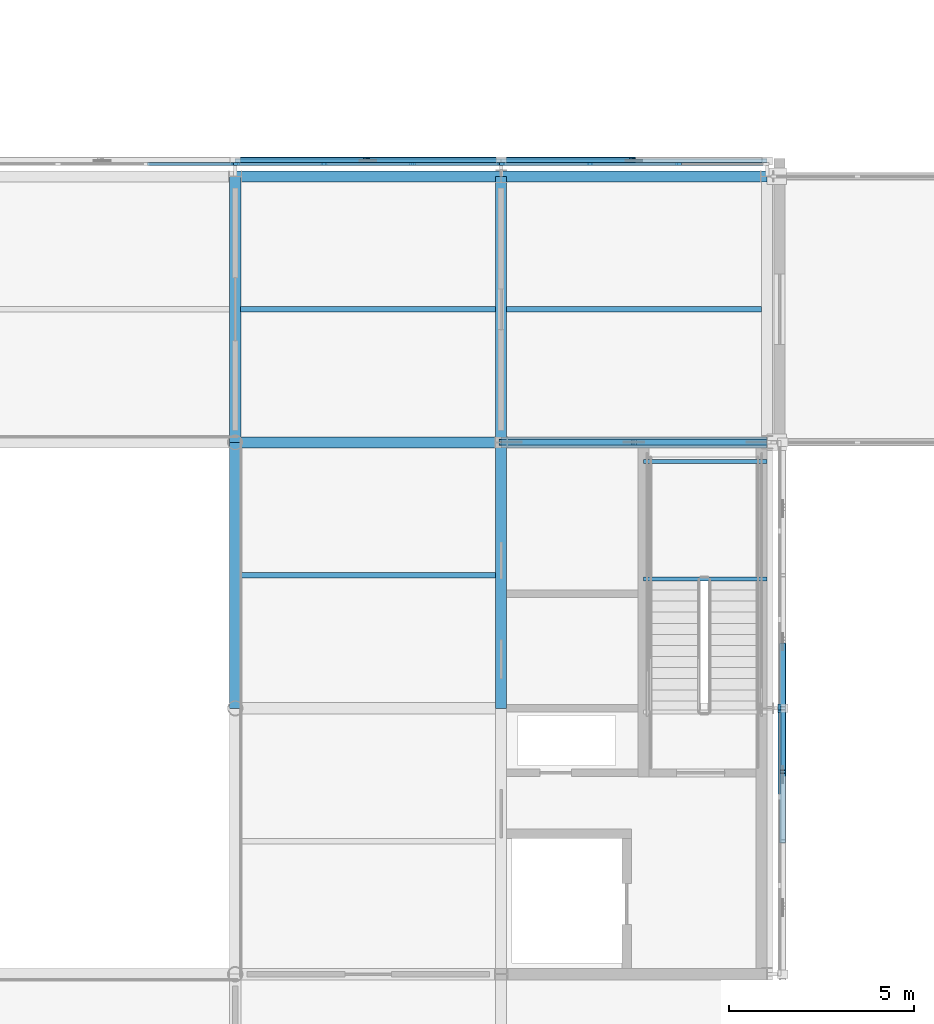
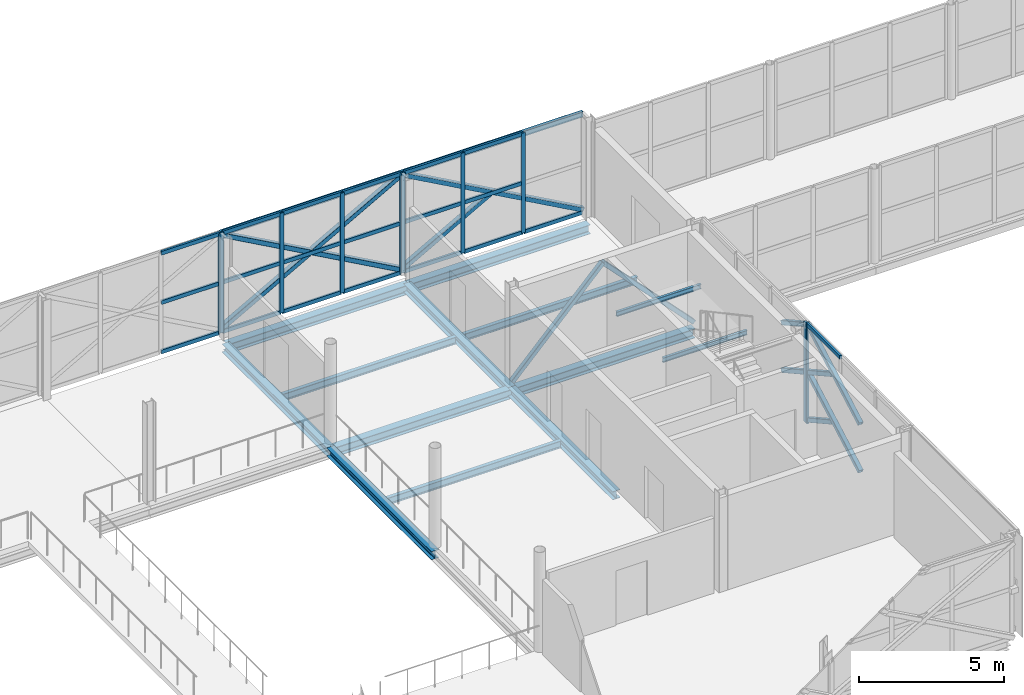
# One storey, part 36 of 126: 45 members, 13 beams, 5 elements without a shape of their own.
"""IFC4 building model written with IfcOpenShell, lengths in metres."""

from ifc_helpers import new_model, si_unit, direction, frame, origin, origin_2d, place, context, subcontext, project, spatial, rectangle, hollow_rectangle, i_section, extrude, material, material_profile, profile_set, type_object, element, aggregate, save


model = new_model("IFC4")

# Units and contexts
model_context = context("Model", 3, precision=1e-05, world=origin(), true_north=direction((0.0, 1.0)))
body_context = subcontext(model_context, "Body", "Model", "MODEL_VIEW")
ifc_project = project(units=[si_unit("LENGTHUNIT", "METRE"), si_unit("AREAUNIT", "SQUARE_METRE"), si_unit("VOLUMEUNIT", "CUBIC_METRE"), si_unit("PLANEANGLEUNIT", "RADIAN"), si_unit("MASSUNIT", "GRAM", prefix="KILO")], contexts=[model_context])

# Site, building, storey
site_placement = place(None, origin())
site = spatial("IfcSite", under=ifc_project, at=site_placement, CompositionType="ELEMENT")
building_placement = place(site_placement, origin())
building = spatial("IfcBuilding", under=site, at=building_placement, Name="Zlatovets Crest Museum", CompositionType="ELEMENT")
storey_placement = place(building_placement, frame((0.0, 0.0, 8.699951171875)))
storey = spatial("IfcBuildingStorey", under=building, at=storey_placement, Name="L02", CompositionType="ELEMENT", Elevation=8.699951171875)

# Beams
ifc_material_1 = material(Name="Structural steel S355J2", Category="steel")
ifc_material_profile_1 = material_profile(ifc_material_1, i_section(OverallWidth=0.300048828125, OverallDepth=0.389892578125, WebThickness=0.010986328125, FlangeThickness=0.01904296875, FilletRadius=0.027099609375, at=origin_2d()), Name="HEA 400")
ifc_profile_set_1 = profile_set([ifc_material_profile_1], Name="Structural steel S355J2")
beam_type_1 = type_object("IfcBeamType", Name="Beam_B-02", PredefinedType="BEAM", material=ifc_profile_set_1)
for number, where, z_axis, x_axis, name in (
    (1, (93.60009765625, 21.60009765625, -0.4150390625), (1.0, 0.0, 0.0), (0.0, 1.0, 0.0), "V2 L02 Primary Girder B-02"),
    (2, (100.800048828125, 21.60009765625, -0.4150390625), (1.0, 0.0, 0.0), (0.0, 1.0, 0.0), "V2 L02 Primary Girder B-02"),
    (3, (93.60009765625, 28.800048828125, -0.4150390625), (1.0, 0.0, 0.0), (0.0, 1.0, 0.0), "V2 L02 Primary Girder B-02"),
    (4, (100.800048828125, 28.800048828125, -0.4150390625), (1.0, 0.0, 0.0), (0.0, 1.0, 0.0), "V2 L02 Primary Girder B-02"),
):
    element("IfcBeam", number, at=place(storey_placement, frame(where, z_axis=z_axis, x_axis=x_axis)), inside=storey, type_object=beam_type_1, Name=name, PredefinedType="BEAM", context=body_context, shape_type="SweptSolid", body=[
        extrude(i_section(OverallWidth=0.300048828125, OverallDepth=0.389892578125, WebThickness=0.010986328125, FlangeThickness=0.01904296875, FilletRadius=0.027099609375, at=origin_2d()), origin(), (0.0, 0.0, 1.0), 7.199951171875),
    ])
ifc_material_profile_2 = material_profile(ifc_material_1, i_section(OverallWidth=0.300048828125, OverallDepth=0.35009765625, WebThickness=0.010009765625, FlangeThickness=0.017578125, FilletRadius=0.027099609375, at=origin_2d()), Name="HEA 360")
ifc_profile_set_2 = profile_set([ifc_material_profile_2], Name="Structural steel S355J2")
beam_type_2 = type_object("IfcBeamType", Name="Beam_B-03", PredefinedType="BEAM", material=ifc_profile_set_2)
beam_1_placement = place(storey_placement, frame((93.60009765625, 14.39990234375, -0.39501953125), z_axis=(0.0, 1.0, 0.0), x_axis=(-1.0, 0.0, 0.0)))
element("IfcBeam", 5, at=beam_1_placement, inside=storey, type_object=beam_type_2, Name="V2 L02 Grid Beam B-03", PredefinedType="BEAM", context=body_context, shape_type="SweptSolid", body=[
    extrude(i_section(OverallWidth=0.300048828125, OverallDepth=0.35009765625, WebThickness=0.010009765625, FlangeThickness=0.017578125, FilletRadius=0.027099609375, at=origin_2d()), origin(), (0.0, 0.0, 1.0), 7.2001953125),
])
beam_2_placement = place(storey_placement, frame((93.60009765625, 21.60009765625, -0.39501953125), z_axis=(0.0, 1.0, 0.0), x_axis=(-1.0, 0.0, 0.0)))
element("IfcBeam", 6, at=beam_2_placement, inside=storey, type_object=beam_type_2, Name="V2 L02 Grid Beam B-03", PredefinedType="BEAM", context=body_context, shape_type="SweptSolid", body=[
    extrude(i_section(OverallWidth=0.300048828125, OverallDepth=0.35009765625, WebThickness=0.010009765625, FlangeThickness=0.017578125, FilletRadius=0.027099609375, at=origin_2d()), origin(), (0.0, 0.0, 1.0), 7.199951171875),
])
beam_3_placement = place(storey_placement, frame((100.800048828125, 14.39990234375, -0.39501953125), z_axis=(0.0, 1.0, 0.0), x_axis=(-1.0, 0.0, 0.0)))
element("IfcBeam", 7, at=beam_3_placement, inside=storey, type_object=beam_type_2, Name="V2 L02 Grid Beam B-03", PredefinedType="BEAM", context=body_context, shape_type="SweptSolid", body=[
    extrude(i_section(OverallWidth=0.300048828125, OverallDepth=0.35009765625, WebThickness=0.010009765625, FlangeThickness=0.017578125, FilletRadius=0.027099609375, at=origin_2d()), origin(), (0.0, 0.0, 1.0), 7.2001953125),
])
beam_4_placement = place(storey_placement, frame((100.800048828125, 21.60009765625, -0.39501953125), z_axis=(0.0, 1.0, 0.0), x_axis=(-1.0, 0.0, 0.0)))
element("IfcBeam", 8, at=beam_4_placement, inside=storey, type_object=beam_type_2, Name="V2 L02 Grid Beam B-03", PredefinedType="BEAM", context=body_context, shape_type="SweptSolid", body=[
    extrude(i_section(OverallWidth=0.300048828125, OverallDepth=0.35009765625, WebThickness=0.010009765625, FlangeThickness=0.017578125, FilletRadius=0.027099609375, at=origin_2d()), origin(), (0.0, 0.0, 1.0), 7.199951171875),
])
ifc_material_profile_3 = material_profile(ifc_material_1, i_section(OverallWidth=0.14990234375, OverallDepth=0.300048828125, WebThickness=0.007080078125, FlangeThickness=0.0107421875, FilletRadius=0.014892578125, at=origin_2d()), Name="IPE 300")
ifc_profile_set_3 = profile_set([ifc_material_profile_3], Name="Structural steel S355J2")
beam_type_3 = type_object("IfcBeamType", Name="Beam_J-02", PredefinedType="JOIST", material=ifc_profile_set_3)
for number, where, z_axis, x_axis, name in (
    (9, (93.75, 18.0, -0.369873046875), (1.0, 0.0, 0.0), (0.0, 1.0, 0.0), "V2 L02 Composite Joist J-02"),
    (10, (93.75, 25.199951171875, -0.369873046875), (1.0, 0.0, 0.0), (0.0, 1.0, 0.0), "V2 L02 Composite Joist J-02"),
):
    element("IfcBeam", number, at=place(storey_placement, frame(where, z_axis=z_axis, x_axis=x_axis)), inside=storey, type_object=beam_type_3, Name=name, PredefinedType="JOIST", context=body_context, shape_type="SweptSolid", body=[
        extrude(i_section(OverallWidth=0.14990234375, OverallDepth=0.300048828125, WebThickness=0.007080078125, FlangeThickness=0.0107421875, FilletRadius=0.014892578125, at=origin_2d()), origin(), (0.0, 0.0, 1.0), 6.89990234375),
    ])
beam_5_placement = place(storey_placement, frame((100.949951171875, 25.199951171875, -0.369873046875), z_axis=(1.0, 0.0, 0.0), x_axis=(0.0, 1.0, 0.0)))
element("IfcBeam", 11, at=beam_5_placement, inside=storey, type_object=beam_type_3, Name="V2 L02 Composite Joist J-02", PredefinedType="JOIST", context=body_context, shape_type="SweptSolid", body=[
    extrude(i_section(OverallWidth=0.14990234375, OverallDepth=0.300048828125, WebThickness=0.007080078125, FlangeThickness=0.0107421875, FilletRadius=0.014892578125, at=origin_2d()), origin(), (0.0, 0.0, 1.0), 6.900146484375),
])
ifc_material_profile_4 = material_profile(ifc_material_1, i_section(OverallWidth=0.10009765625, OverallDepth=0.199951171875, WebThickness=0.005615234375, FlangeThickness=0.008544921875, FilletRadius=0.011962890625, at=origin_2d()), Name="IPE 200")
ifc_profile_set_4 = profile_set([ifc_material_profile_4], Name="Structural steel S355J2")
beam_type_4 = type_object("IfcBeamType", Name="Beam_PR-02", PredefinedType="LINTEL", material=ifc_profile_set_4)
for number, where, z_axis, x_axis, name in (
    (12, (104.64990234375, 17.89990234375, 1.800048828125), (1.0, 0.0, 0.0), (0.0, 1.0, 0.0), "Core C8 L02 Half-Landing Support Beam"),
    (13, (104.64990234375, 21.080078125, 1.800048828125), (1.0, 0.0, 0.0), (0.0, 1.0, 0.0), "Core C8 L02 Half-Landing Support Beam"),
):
    element("IfcBeam", number, at=place(storey_placement, frame(where, z_axis=z_axis, x_axis=x_axis)), inside=storey, type_object=beam_type_4, Name=name, PredefinedType="LINTEL", context=body_context, shape_type="SweptSolid", body=[
        extrude(i_section(OverallWidth=0.10009765625, OverallDepth=0.199951171875, WebThickness=0.005615234375, FlangeThickness=0.008544921875, FilletRadius=0.011962890625, at=origin_2d()), origin(), (0.0, 0.0, 1.0), 3.35009765625),
    ])

# Curtain wall, member
ifc_material_2 = material(Name="Bronze-anodised aluminium and low-E triple glass", Category="aluminium")
curtain_wall_type_1 = type_object("IfcCurtainWallType", Name="CW_CW-V2-L02-M0", PredefinedType="NOTDEFINED", material=ifc_material_2)
curtain_wall_1_placement = place(storey_placement, origin())
curtain_wall_1 = element("IfcCurtainWall", 14, at=curtain_wall_1_placement, inside=storey, type_object=curtain_wall_type_1, Name="V2 L02 Expressed Core Glazed Facade", PredefinedType="NOTDEFINED")
ifc_material_3 = material(Name="Bronze-anodised aluminium EN AW-6060", Category="aluminium")
ifc_material_profile_5 = material_profile(ifc_material_3, rectangle(XDim=0.080078125, YDim=0.159912109375, at=origin_2d()), Name="ALU 80x160")
ifc_profile_set_5 = profile_set([ifc_material_profile_5], Name="Bronze-anodised aluminium EN AW-6060")
member_type_1 = type_object("IfcMemberType", Name="CWMull_M1", PredefinedType="MULLION", material=ifc_profile_set_5)
member_1_placement = place(storey_placement, frame((108.340087890625, 14.3701171875, 0.0), z_axis=(0.0, 0.0, 1.0), x_axis=(-1.0, 0.0, 0.0)))
member_1 = element("IfcMember", 15, at=member_1_placement, type_object=member_type_1, Name="CW-V2-L02-M0 mullion 4", PredefinedType="MULLION", context=body_context, shape_type="SweptSolid", body=[
    extrude(rectangle(XDim=0.080078125, YDim=0.159912109375, at=origin_2d()), origin(), (0.0, 0.0, 1.0), 4.199951171875),
])

curtain_wall_type_2 = type_object("IfcCurtainWallType", Name="CW_CW-V2-L02-M1", PredefinedType="NOTDEFINED", material=ifc_material_2)
curtain_wall_2_placement = place(storey_placement, origin())
curtain_wall_2 = element("IfcCurtainWall", 16, at=curtain_wall_2_placement, inside=storey, type_object=curtain_wall_type_2, Name="V2 L02 Expressed Core Glazed Facade", PredefinedType="NOTDEFINED")
member_2_placement = place(storey_placement, frame((108.340087890625, 14.429931640625, 0.0), z_axis=(0.0, 0.0, 1.0), x_axis=(-1.0, 0.0, 0.0)))
member_2 = element("IfcMember", 17, at=member_2_placement, type_object=member_type_1, Name="CW-V2-L02-M1 mullion 1", PredefinedType="MULLION", context=body_context, shape_type="SweptSolid", body=[
    extrude(rectangle(XDim=0.080078125, YDim=0.159912109375, at=origin_2d()), origin(), (0.0, 0.0, 1.0), 4.199951171875),
])
aggregate(curtain_wall_2, [member_2])

# Curtain wall, members
curtain_wall_type_3 = type_object("IfcCurtainWallType", Name="CW_CW-V2-L02-M3", PredefinedType="NOTDEFINED", material=ifc_material_2)
curtain_wall_3_placement = place(storey_placement, origin())
curtain_wall_3 = element("IfcCurtainWall", 18, at=curtain_wall_3_placement, inside=storey, type_object=curtain_wall_type_3, Name="V2 L02 Secession Foyer Clear Curtain Wall", PredefinedType="NOTDEFINED")
member_3_placement = place(storey_placement, frame((105.60009765625, 29.139892578125, 0.0), z_axis=(0.0, 0.0, 1.0), x_axis=(0.0, -1.0, 0.0)))
member_3 = element("IfcMember", 19, at=member_3_placement, type_object=member_type_1, Name="CW-V2-L02-M3 mullion 2", PredefinedType="MULLION", context=body_context, shape_type="SweptSolid", body=[
    extrude(rectangle(XDim=0.080078125, YDim=0.159912109375, at=origin_2d()), origin(), (0.0, 0.0, 1.0), 4.199951171875),
])
member_4_placement = place(storey_placement, frame((103.199951171875, 29.139892578125, 0.0), z_axis=(0.0, 0.0, 1.0), x_axis=(0.0, -1.0, 0.0)))
member_4 = element("IfcMember", 20, at=member_4_placement, type_object=member_type_1, Name="CW-V2-L02-M3 mullion 3", PredefinedType="MULLION", context=body_context, shape_type="SweptSolid", body=[
    extrude(rectangle(XDim=0.080078125, YDim=0.159912109375, at=origin_2d()), origin(), (0.0, 0.0, 1.0), 4.199951171875),
])
member_5_placement = place(storey_placement, frame((100.830078125, 29.139892578125, 0.0), z_axis=(0.0, 0.0, 1.0), x_axis=(0.0, -1.0, 0.0)))
member_5 = element("IfcMember", 21, at=member_5_placement, type_object=member_type_1, Name="CW-V2-L02-M3 mullion 4", PredefinedType="MULLION", context=body_context, shape_type="SweptSolid", body=[
    extrude(rectangle(XDim=0.080078125, YDim=0.159912109375, at=origin_2d()), origin(), (0.0, 0.0, 1.0), 4.199951171875),
])

curtain_wall_4_placement = place(storey_placement, origin())
curtain_wall_4 = element("IfcCurtainWall", 22, at=curtain_wall_4_placement, inside=storey, type_object=curtain_wall_type_1, Name="V2 L02 Secession Foyer Clear Curtain Wall", PredefinedType="NOTDEFINED")
member_6_placement = place(storey_placement, frame((100.77001953125, 29.139892578125, 0.0), z_axis=(0.0, 0.0, 1.0), x_axis=(0.0, -1.0, 0.0)))
member_6 = element("IfcMember", 23, at=member_6_placement, type_object=member_type_1, Name="CW-V2-L02-M0 mullion 1", PredefinedType="MULLION", context=body_context, shape_type="SweptSolid", body=[
    extrude(rectangle(XDim=0.080078125, YDim=0.159912109375, at=origin_2d()), origin(), (0.0, 0.0, 1.0), 4.199951171875),
])
member_7_placement = place(storey_placement, frame((98.39990234375, 29.139892578125, 0.0), z_axis=(0.0, 0.0, 1.0), x_axis=(0.0, -1.0, 0.0)))
member_7 = element("IfcMember", 24, at=member_7_placement, type_object=member_type_1, Name="CW-V2-L02-M0 mullion 2", PredefinedType="MULLION", context=body_context, shape_type="SweptSolid", body=[
    extrude(rectangle(XDim=0.080078125, YDim=0.159912109375, at=origin_2d()), origin(), (0.0, 0.0, 1.0), 4.199951171875),
])
member_8_placement = place(storey_placement, frame((96.0, 29.139892578125, 0.0), z_axis=(0.0, 0.0, 1.0), x_axis=(0.0, -1.0, 0.0)))
member_8 = element("IfcMember", 25, at=member_8_placement, type_object=member_type_1, Name="CW-V2-L02-M0 mullion 3", PredefinedType="MULLION", context=body_context, shape_type="SweptSolid", body=[
    extrude(rectangle(XDim=0.080078125, YDim=0.159912109375, at=origin_2d()), origin(), (0.0, 0.0, 1.0), 4.199951171875),
])
member_9_placement = place(storey_placement, frame((93.6298828125, 29.139892578125, 0.0), z_axis=(0.0, 0.0, 1.0), x_axis=(0.0, -1.0, 0.0)))
member_9 = element("IfcMember", 26, at=member_9_placement, type_object=member_type_1, Name="CW-V2-L02-M0 mullion 4", PredefinedType="MULLION", context=body_context, shape_type="SweptSolid", body=[
    extrude(rectangle(XDim=0.080078125, YDim=0.159912109375, at=origin_2d()), origin(), (0.0, 0.0, 1.0), 4.199951171875),
])

# Curtain wall, member
curtain_wall_5_placement = place(storey_placement, origin())
curtain_wall_5 = element("IfcCurtainWall", 27, at=curtain_wall_5_placement, inside=storey, type_object=curtain_wall_type_2, Name="V2 L02 Secession Foyer Clear Curtain Wall", PredefinedType="NOTDEFINED")
member_10_placement = place(storey_placement, frame((93.570068359375, 29.139892578125, 0.0), z_axis=(0.0, 0.0, 1.0), x_axis=(0.0, -1.0, 0.0)))
member_10 = element("IfcMember", 28, at=member_10_placement, type_object=member_type_1, Name="CW-V2-L02-M1 mullion 1", PredefinedType="MULLION", context=body_context, shape_type="SweptSolid", body=[
    extrude(rectangle(XDim=0.080078125, YDim=0.159912109375, at=origin_2d()), origin(), (0.0, 0.0, 1.0), 4.199951171875),
])

# Member
ifc_material_profile_6 = material_profile(ifc_material_3, rectangle(XDim=0.080078125, YDim=0.159912109375, at=origin_2d()), Name="ALU 80x160")
ifc_profile_set_6 = profile_set([ifc_material_profile_6], Name="Bronze-anodised aluminium EN AW-6060")
member_type_2 = type_object("IfcMemberType", Name="CWTrans_T1", PredefinedType="USERDEFINED", material=ifc_profile_set_6)
member_11_placement = place(storey_placement, frame((108.340087890625, 12.030029296875, 4.170166015625), z_axis=(0.0, 1.0, 0.0), x_axis=(-1.0, 0.0, 0.0)))
member_11 = element("IfcMember", 29, at=member_11_placement, type_object=member_type_2, Name="CW-V2-L02-M0 transom 3.3", ObjectType="TRANSOM", PredefinedType="USERDEFINED", context=body_context, shape_type="SweptSolid", body=[
    extrude(rectangle(XDim=0.080078125, YDim=0.159912109375, at=origin_2d()), origin(), (0.0, 0.0, 1.0), 2.31005859375),
])

aggregate(curtain_wall_1, [member_1, member_11])

member_12_placement = place(storey_placement, frame((107.93994140625, 29.139892578125, 0.030029296875), z_axis=(-1.0, 0.0, 0.0), x_axis=(0.0, -1.0, 0.0)))
member_12 = element("IfcMember", 30, at=member_12_placement, type_object=member_type_2, Name="CW-V2-L02-M3 transom 1.1", ObjectType="TRANSOM", PredefinedType="USERDEFINED", context=body_context, shape_type="SweptSolid", body=[
    extrude(rectangle(XDim=0.080078125, YDim=0.159912109375, at=origin_2d()), origin(), (0.0, 0.0, 1.0), 2.31005859375),
])

member_13_placement = place(storey_placement, frame((105.570068359375, 29.139892578125, 0.030029296875), z_axis=(-1.0, 0.0, 0.0), x_axis=(0.0, -1.0, 0.0)))
member_13 = element("IfcMember", 31, at=member_13_placement, type_object=member_type_2, Name="CW-V2-L02-M3 transom 2.1", ObjectType="TRANSOM", PredefinedType="USERDEFINED", context=body_context, shape_type="SweptSolid", body=[
    extrude(rectangle(XDim=0.080078125, YDim=0.159912109375, at=origin_2d()), origin(), (0.0, 0.0, 1.0), 2.340087890625),
])

member_14_placement = place(storey_placement, frame((105.570068359375, 29.139892578125, 2.10009765625), z_axis=(-1.0, 0.0, 0.0), x_axis=(0.0, -1.0, 0.0)))
member_14 = element("IfcMember", 32, at=member_14_placement, type_object=member_type_2, Name="CW-V2-L02-M3 transom 2.2", ObjectType="TRANSOM", PredefinedType="USERDEFINED", context=body_context, shape_type="SweptSolid", body=[
    extrude(rectangle(XDim=0.080078125, YDim=0.159912109375, at=origin_2d()), origin(), (0.0, 0.0, 1.0), 2.340087890625),
])

member_15_placement = place(storey_placement, frame((105.570068359375, 29.139892578125, 4.170166015625), z_axis=(-1.0, 0.0, 0.0), x_axis=(0.0, -1.0, 0.0)))
member_15 = element("IfcMember", 33, at=member_15_placement, type_object=member_type_2, Name="CW-V2-L02-M3 transom 2.3", ObjectType="TRANSOM", PredefinedType="USERDEFINED", context=body_context, shape_type="SweptSolid", body=[
    extrude(rectangle(XDim=0.080078125, YDim=0.159912109375, at=origin_2d()), origin(), (0.0, 0.0, 1.0), 2.340087890625),
])

member_16_placement = place(storey_placement, frame((103.169921875, 29.139892578125, 0.030029296875), z_axis=(-1.0, 0.0, 0.0), x_axis=(0.0, -1.0, 0.0)))
member_16 = element("IfcMember", 34, at=member_16_placement, type_object=member_type_2, Name="CW-V2-L02-M3 transom 3.1", ObjectType="TRANSOM", PredefinedType="USERDEFINED", context=body_context, shape_type="SweptSolid", body=[
    extrude(rectangle(XDim=0.080078125, YDim=0.159912109375, at=origin_2d()), origin(), (0.0, 0.0, 1.0), 2.309814453125),
])

member_17_placement = place(storey_placement, frame((103.169921875, 29.139892578125, 2.10009765625), z_axis=(-1.0, 0.0, 0.0), x_axis=(0.0, -1.0, 0.0)))
member_17 = element("IfcMember", 35, at=member_17_placement, type_object=member_type_2, Name="CW-V2-L02-M3 transom 3.2", ObjectType="TRANSOM", PredefinedType="USERDEFINED", context=body_context, shape_type="SweptSolid", body=[
    extrude(rectangle(XDim=0.080078125, YDim=0.159912109375, at=origin_2d()), origin(), (0.0, 0.0, 1.0), 2.309814453125),
])

member_18_placement = place(storey_placement, frame((103.169921875, 29.139892578125, 4.170166015625), z_axis=(-1.0, 0.0, 0.0), x_axis=(0.0, -1.0, 0.0)))
member_18 = element("IfcMember", 36, at=member_18_placement, type_object=member_type_2, Name="CW-V2-L02-M3 transom 3.3", ObjectType="TRANSOM", PredefinedType="USERDEFINED", context=body_context, shape_type="SweptSolid", body=[
    extrude(rectangle(XDim=0.080078125, YDim=0.159912109375, at=origin_2d()), origin(), (0.0, 0.0, 1.0), 2.309814453125),
])

aggregate(curtain_wall_3, [member_3, member_4, member_5, member_12, member_13, member_14, member_15, member_16, member_17, member_18])

member_19_placement = place(storey_placement, frame((100.739990234375, 29.139892578125, 0.030029296875), z_axis=(-1.0, 0.0, 0.0), x_axis=(0.0, -1.0, 0.0)))
member_19 = element("IfcMember", 37, at=member_19_placement, type_object=member_type_2, Name="CW-V2-L02-M0 transom 1.1", ObjectType="TRANSOM", PredefinedType="USERDEFINED", context=body_context, shape_type="SweptSolid", body=[
    extrude(rectangle(XDim=0.080078125, YDim=0.159912109375, at=origin_2d()), origin(), (0.0, 0.0, 1.0), 2.31005859375),
])

member_20_placement = place(storey_placement, frame((100.739990234375, 29.139892578125, 2.10009765625), z_axis=(-1.0, 0.0, 0.0), x_axis=(0.0, -1.0, 0.0)))
member_20 = element("IfcMember", 38, at=member_20_placement, type_object=member_type_2, Name="CW-V2-L02-M0 transom 1.2", ObjectType="TRANSOM", PredefinedType="USERDEFINED", context=body_context, shape_type="SweptSolid", body=[
    extrude(rectangle(XDim=0.080078125, YDim=0.159912109375, at=origin_2d()), origin(), (0.0, 0.0, 1.0), 2.31005859375),
])

member_21_placement = place(storey_placement, frame((100.739990234375, 29.139892578125, 4.170166015625), z_axis=(-1.0, 0.0, 0.0), x_axis=(0.0, -1.0, 0.0)))
member_21 = element("IfcMember", 39, at=member_21_placement, type_object=member_type_2, Name="CW-V2-L02-M0 transom 1.3", ObjectType="TRANSOM", PredefinedType="USERDEFINED", context=body_context, shape_type="SweptSolid", body=[
    extrude(rectangle(XDim=0.080078125, YDim=0.159912109375, at=origin_2d()), origin(), (0.0, 0.0, 1.0), 2.31005859375),
])

member_22_placement = place(storey_placement, frame((98.3701171875, 29.139892578125, 0.030029296875), z_axis=(-1.0, 0.0, 0.0), x_axis=(0.0, -1.0, 0.0)))
member_22 = element("IfcMember", 40, at=member_22_placement, type_object=member_type_2, Name="CW-V2-L02-M0 transom 2.1", ObjectType="TRANSOM", PredefinedType="USERDEFINED", context=body_context, shape_type="SweptSolid", body=[
    extrude(rectangle(XDim=0.080078125, YDim=0.159912109375, at=origin_2d()), origin(), (0.0, 0.0, 1.0), 2.340087890625),
])

member_23_placement = place(storey_placement, frame((98.3701171875, 29.139892578125, 2.10009765625), z_axis=(-1.0, 0.0, 0.0), x_axis=(0.0, -1.0, 0.0)))
member_23 = element("IfcMember", 41, at=member_23_placement, type_object=member_type_2, Name="CW-V2-L02-M0 transom 2.2", ObjectType="TRANSOM", PredefinedType="USERDEFINED", context=body_context, shape_type="SweptSolid", body=[
    extrude(rectangle(XDim=0.080078125, YDim=0.159912109375, at=origin_2d()), origin(), (0.0, 0.0, 1.0), 2.340087890625),
])

member_24_placement = place(storey_placement, frame((98.3701171875, 29.139892578125, 4.170166015625), z_axis=(-1.0, 0.0, 0.0), x_axis=(0.0, -1.0, 0.0)))
member_24 = element("IfcMember", 42, at=member_24_placement, type_object=member_type_2, Name="CW-V2-L02-M0 transom 2.3", ObjectType="TRANSOM", PredefinedType="USERDEFINED", context=body_context, shape_type="SweptSolid", body=[
    extrude(rectangle(XDim=0.080078125, YDim=0.159912109375, at=origin_2d()), origin(), (0.0, 0.0, 1.0), 2.340087890625),
])

member_25_placement = place(storey_placement, frame((95.969970703125, 29.139892578125, 0.030029296875), z_axis=(-1.0, 0.0, 0.0), x_axis=(0.0, -1.0, 0.0)))
member_25 = element("IfcMember", 43, at=member_25_placement, type_object=member_type_2, Name="CW-V2-L02-M0 transom 3.1", ObjectType="TRANSOM", PredefinedType="USERDEFINED", context=body_context, shape_type="SweptSolid", body=[
    extrude(rectangle(XDim=0.080078125, YDim=0.159912109375, at=origin_2d()), origin(), (0.0, 0.0, 1.0), 2.31005859375),
])

member_26_placement = place(storey_placement, frame((95.969970703125, 29.139892578125, 2.10009765625), z_axis=(-1.0, 0.0, 0.0), x_axis=(0.0, -1.0, 0.0)))
member_26 = element("IfcMember", 44, at=member_26_placement, type_object=member_type_2, Name="CW-V2-L02-M0 transom 3.2", ObjectType="TRANSOM", PredefinedType="USERDEFINED", context=body_context, shape_type="SweptSolid", body=[
    extrude(rectangle(XDim=0.080078125, YDim=0.159912109375, at=origin_2d()), origin(), (0.0, 0.0, 1.0), 2.31005859375),
])

member_27_placement = place(storey_placement, frame((95.969970703125, 29.139892578125, 4.170166015625), z_axis=(-1.0, 0.0, 0.0), x_axis=(0.0, -1.0, 0.0)))
member_27 = element("IfcMember", 45, at=member_27_placement, type_object=member_type_2, Name="CW-V2-L02-M0 transom 3.3", ObjectType="TRANSOM", PredefinedType="USERDEFINED", context=body_context, shape_type="SweptSolid", body=[
    extrude(rectangle(XDim=0.080078125, YDim=0.159912109375, at=origin_2d()), origin(), (0.0, 0.0, 1.0), 2.31005859375),
])

aggregate(curtain_wall_4, [member_6, member_7, member_8, member_9, member_19, member_20, member_21, member_22, member_23, member_24, member_25, member_26, member_27])

member_28_placement = place(storey_placement, frame((93.5400390625, 29.139892578125, 0.030029296875), z_axis=(-1.0, 0.0, 0.0), x_axis=(0.0, -1.0, 0.0)))
member_28 = element("IfcMember", 46, at=member_28_placement, type_object=member_type_2, Name="CW-V2-L02-M1 transom 1.1", ObjectType="TRANSOM", PredefinedType="USERDEFINED", context=body_context, shape_type="SweptSolid", body=[
    extrude(rectangle(XDim=0.080078125, YDim=0.159912109375, at=origin_2d()), origin(), (0.0, 0.0, 1.0), 2.31005859375),
])

member_29_placement = place(storey_placement, frame((93.5400390625, 29.139892578125, 2.10009765625), z_axis=(-1.0, 0.0, 0.0), x_axis=(0.0, -1.0, 0.0)))
member_29 = element("IfcMember", 47, at=member_29_placement, type_object=member_type_2, Name="CW-V2-L02-M1 transom 1.2", ObjectType="TRANSOM", PredefinedType="USERDEFINED", context=body_context, shape_type="SweptSolid", body=[
    extrude(rectangle(XDim=0.080078125, YDim=0.159912109375, at=origin_2d()), origin(), (0.0, 0.0, 1.0), 2.31005859375),
])

member_30_placement = place(storey_placement, frame((93.5400390625, 29.139892578125, 4.170166015625), z_axis=(-1.0, 0.0, 0.0), x_axis=(0.0, -1.0, 0.0)))
member_30 = element("IfcMember", 48, at=member_30_placement, type_object=member_type_2, Name="CW-V2-L02-M1 transom 1.3", ObjectType="TRANSOM", PredefinedType="USERDEFINED", context=body_context, shape_type="SweptSolid", body=[
    extrude(rectangle(XDim=0.080078125, YDim=0.159912109375, at=origin_2d()), origin(), (0.0, 0.0, 1.0), 2.31005859375),
])

aggregate(curtain_wall_5, [member_10, member_28, member_29, member_30])

# Members
ifc_material_4 = material(Name="Weathering bronze-steel S355J2W", Category="steel")
ifc_material_profile_7 = material_profile(ifc_material_4, hollow_rectangle(XDim=0.179931640625, YDim=0.179931640625, WallThickness=0.010009765625, InnerFilletRadius=0.010009765625, OuterFilletRadius=0.02001953125, at=origin_2d()), Name="SHS 180x180x10.0")
ifc_profile_set_7 = profile_set([ifc_material_profile_7], Name="Weathering bronze-steel S355J2W")
member_type_3 = type_object("IfcMemberType", Name="Lattice_XL-01", PredefinedType="BRACE", material=ifc_profile_set_7)
member_31_placement = place(storey_placement, frame((108.419921875, 10.800048828125, 0.10009765625), z_axis=(0.0, 0.874148886685, 0.485658031857), x_axis=(-1.0, 0.0, 0.0)))
element("IfcMember", 49, at=member_31_placement, inside=storey, type_object=member_type_3, Name="Continuous Bronze Lattice Diagonal", PredefinedType="BRACE", context=body_context, shape_type="SweptSolid", body=[
    extrude(hollow_rectangle(XDim=0.179931640625, YDim=0.179931640625, WallThickness=0.010009765625, InnerFilletRadius=0.010009765625, OuterFilletRadius=0.02001953125, at=origin_2d()), origin(), (0.0, 0.0, 1.0), 4.1181640625),
])
member_32_placement = place(storey_placement, frame((108.419921875, 12.68310546875, 1.053955078125), z_axis=(0.0, 0.874139684676, -0.48567459443), x_axis=(-1.0, 0.0, 0.0)))
element("IfcMember", 50, at=member_32_placement, inside=storey, type_object=member_type_3, Name="Split Crossing Bronze Lattice Diagonal Lower", PredefinedType="BRACE", context=body_context, shape_type="SweptSolid", body=[
    extrude(hollow_rectangle(XDim=0.179931640625, YDim=0.179931640625, WallThickness=0.010009765625, InnerFilletRadius=0.010009765625, OuterFilletRadius=0.02001953125, at=origin_2d()), origin(), (0.0, 0.0, 1.0), 1.9638671875),
])
member_33_placement = place(storey_placement, frame((108.419921875, 10.800048828125, 2.10009765625), z_axis=(0.0, 0.874148886685, 0.485658031857), x_axis=(-1.0, 0.0, 0.0)))
element("IfcMember", 51, at=member_33_placement, inside=storey, type_object=member_type_3, Name="Continuous Bronze Lattice Diagonal", PredefinedType="BRACE", context=body_context, shape_type="SweptSolid", body=[
    extrude(hollow_rectangle(XDim=0.179931640625, YDim=0.179931640625, WallThickness=0.010009765625, InnerFilletRadius=0.010009765625, OuterFilletRadius=0.02001953125, at=origin_2d()), origin(), (0.0, 0.0, 1.0), 4.1181640625),
])
member_34_placement = place(storey_placement, frame((108.419921875, 12.68310546875, 3.053955078125), z_axis=(0.0, 0.874139684676, -0.48567459443), x_axis=(-1.0, 0.0, 0.0)))
element("IfcMember", 52, at=member_34_placement, inside=storey, type_object=member_type_3, Name="Split Crossing Bronze Lattice Diagonal Lower", PredefinedType="BRACE", context=body_context, shape_type="SweptSolid", body=[
    extrude(hollow_rectangle(XDim=0.179931640625, YDim=0.179931640625, WallThickness=0.010009765625, InnerFilletRadius=0.010009765625, OuterFilletRadius=0.02001953125, at=origin_2d()), origin(), (0.0, 0.0, 1.0), 1.9638671875),
])
for number, where, z_axis, x_axis, name in (
    (53, (108.419921875, 14.39990234375, 2.10009765625), (0.0, 0.874169001841, -0.485621824284), (-1.0, 0.0, 0.0), "Split Crossing Bronze Lattice Diagonal Upper"),
    (54, (108.419921875, 14.39990234375, 4.10009765625), (0.0, 0.874169001841, -0.485621824284), (-1.0, 0.0, 0.0), "Split Crossing Bronze Lattice Diagonal Upper"),
):
    element("IfcMember", number, at=place(storey_placement, frame(where, z_axis=z_axis, x_axis=x_axis)), inside=storey, type_object=member_type_3, Name=name, PredefinedType="BRACE", context=body_context, shape_type="SweptSolid", body=[
        extrude(hollow_rectangle(XDim=0.179931640625, YDim=0.179931640625, WallThickness=0.010009765625, InnerFilletRadius=0.010009765625, OuterFilletRadius=0.02001953125, at=origin_2d()), origin(), (0.0, 0.0, 1.0), 1.964111328125),
    ])
ifc_material_profile_8 = material_profile(ifc_material_4, hollow_rectangle(XDim=0.199951171875, YDim=0.199951171875, WallThickness=0.012451171875, InnerFilletRadius=0.012451171875, OuterFilletRadius=0.02490234375, at=origin_2d()), Name="SHS 200x200x12.5")
ifc_profile_set_8 = profile_set([ifc_material_profile_8], Name="Weathering bronze-steel S355J2W")
member_type_4 = type_object("IfcMemberType", Name="Lattice_XL-02", PredefinedType="BRACE", material=ifc_profile_set_8)
member_35_placement = place(storey_placement, frame((108.0, 29.219970703125, 0.10009765625), z_axis=(-0.874155877937, 0.0, 0.485645447903), x_axis=(0.0, -1.0, 0.0)))
element("IfcMember", 55, at=member_35_placement, inside=storey, type_object=member_type_4, Name="Continuous Bronze Lattice Diagonal", PredefinedType="BRACE", context=body_context, shape_type="SweptSolid", body=[
    extrude(hollow_rectangle(XDim=0.199951171875, YDim=0.199951171875, WallThickness=0.012451171875, InnerFilletRadius=0.012451171875, OuterFilletRadius=0.02490234375, at=origin_2d()), origin(), (0.0, 0.0, 1.0), 8.236572265625),
])
member_36_placement = place(storey_placement, frame((104.31689453125, 29.219970703125, 2.053955078125), z_axis=(-0.874151551165, 0.0, -0.485653235958), x_axis=(0.0, -1.0, 0.0)))
element("IfcMember", 56, at=member_36_placement, inside=storey, type_object=member_type_4, Name="Split Crossing Bronze Lattice Diagonal Lower", PredefinedType="BRACE", context=body_context, shape_type="SweptSolid", body=[
    extrude(hollow_rectangle(XDim=0.199951171875, YDim=0.199951171875, WallThickness=0.012451171875, InnerFilletRadius=0.012451171875, OuterFilletRadius=0.02490234375, at=origin_2d()), origin(), (0.0, 0.0, 1.0), 4.023193359375),
])
member_37_placement = place(storey_placement, frame((100.800048828125, 29.219970703125, 0.10009765625), z_axis=(-0.874155877937, 0.0, 0.485645447903), x_axis=(0.0, -1.0, 0.0)))
element("IfcMember", 57, at=member_37_placement, inside=storey, type_object=member_type_4, Name="Continuous Bronze Lattice Diagonal", PredefinedType="BRACE", context=body_context, shape_type="SweptSolid", body=[
    extrude(hollow_rectangle(XDim=0.199951171875, YDim=0.199951171875, WallThickness=0.012451171875, InnerFilletRadius=0.012451171875, OuterFilletRadius=0.02490234375, at=origin_2d()), origin(), (0.0, 0.0, 1.0), 8.236572265625),
])
member_38_placement = place(storey_placement, frame((100.800048828125, 29.219970703125, 4.10009765625), z_axis=(-0.874165862873, 0.0, -0.485627474703), x_axis=(0.0, -1.0, 0.0)))
element("IfcMember", 58, at=member_38_placement, inside=storey, type_object=member_type_4, Name="Split Crossing Bronze Lattice Diagonal Upper", PredefinedType="BRACE", context=body_context, shape_type="SweptSolid", body=[
    extrude(hollow_rectangle(XDim=0.199951171875, YDim=0.199951171875, WallThickness=0.012451171875, InnerFilletRadius=0.012451171875, OuterFilletRadius=0.02490234375, at=origin_2d()), origin(), (0.0, 0.0, 1.0), 4.0234375),
])
member_39_placement = place(storey_placement, frame((97.116943359375, 29.219970703125, 2.053955078125), z_axis=(-0.874151551165, 0.0, -0.485653235958), x_axis=(0.0, -1.0, 0.0)))
element("IfcMember", 59, at=member_39_placement, inside=storey, type_object=member_type_4, Name="Split Crossing Bronze Lattice Diagonal Lower", PredefinedType="BRACE", context=body_context, shape_type="SweptSolid", body=[
    extrude(hollow_rectangle(XDim=0.199951171875, YDim=0.199951171875, WallThickness=0.012451171875, InnerFilletRadius=0.012451171875, OuterFilletRadius=0.02490234375, at=origin_2d()), origin(), (0.0, 0.0, 1.0), 4.023193359375),
])
ifc_material_profile_9 = material_profile(ifc_material_4, hollow_rectangle(XDim=0.1201171875, YDim=0.239990234375, WallThickness=0.010009765625, InnerFilletRadius=0.010009765625, OuterFilletRadius=0.02001953125, at=origin_2d()), Name="RHS 120x240x10.0")
ifc_profile_set_9 = profile_set([ifc_material_profile_9], Name="Weathering bronze-steel S355J2W")
member_type_5 = type_object("IfcMemberType", Name="Lattice_XL-04", PredefinedType="CHORD", material=ifc_profile_set_9)
for number, where, z_axis, x_axis, name in (
    (60, (108.0, 29.219970703125, 4.10009765625), (-1.0, 0.0, 0.0), (0.0, -1.0, 0.0), "Art Nouveau Woven Cage Collector Ring Chord"),
    (61, (100.800048828125, 29.219970703125, 4.10009765625), (-1.0, 0.0, 0.0), (0.0, -1.0, 0.0), "Art Nouveau Woven Cage Collector Ring Chord"),
):
    element("IfcMember", number, at=place(storey_placement, frame(where, z_axis=z_axis, x_axis=x_axis)), inside=storey, type_object=member_type_5, Name=name, PredefinedType="CHORD", context=body_context, shape_type="SweptSolid", body=[
        extrude(hollow_rectangle(XDim=0.1201171875, YDim=0.239990234375, WallThickness=0.010009765625, InnerFilletRadius=0.010009765625, OuterFilletRadius=0.02001953125, at=origin_2d()), origin(), (0.0, 0.0, 1.0), 7.199951171875),
    ])
ifc_material_profile_10 = material_profile(ifc_material_1, hollow_rectangle(XDim=0.179931640625, YDim=0.179931640625, WallThickness=0.010009765625, InnerFilletRadius=0.010009765625, OuterFilletRadius=0.02001953125, at=origin_2d()), Name="SHS 180x180x10.0")
ifc_profile_set_10 = profile_set([ifc_material_profile_10], Name="Structural steel S355J2")
member_type_6 = type_object("IfcMemberType", Name="Member_BR-02", PredefinedType="BRACE", material=ifc_profile_set_10)
member_40_placement = place(storey_placement, frame((100.800048828125, 21.60009765625, 0.0), z_axis=(0.692517163318, 0.0, 0.721401399021), x_axis=(0.0, 1.0, 0.0)))
element("IfcMember", 62, at=member_40_placement, inside=storey, type_object=member_type_6, Name="V2 L02 Concentric Seismic Brace", PredefinedType="BRACE", context=body_context, shape_type="SweptSolid", body=[
    extrude(hollow_rectangle(XDim=0.179931640625, YDim=0.179931640625, WallThickness=0.010009765625, InnerFilletRadius=0.010009765625, OuterFilletRadius=0.02001953125, at=origin_2d()), origin(), (0.0, 0.0, 1.0), 5.1982421875),
])
member_41_placement = place(storey_placement, frame((108.0, 21.60009765625, 0.0), z_axis=(-0.692541604294, 0.0, 0.721377935844), x_axis=(0.0, -1.0, 0.0)))
element("IfcMember", 63, at=member_41_placement, inside=storey, type_object=member_type_6, Name="V2 L02 Concentric Seismic Brace", PredefinedType="BRACE", context=body_context, shape_type="SweptSolid", body=[
    extrude(hollow_rectangle(XDim=0.179931640625, YDim=0.179931640625, WallThickness=0.010009765625, InnerFilletRadius=0.010009765625, OuterFilletRadius=0.02001953125, at=origin_2d()), origin(), (0.0, 0.0, 1.0), 5.198486328125),
])

save(model, "model.ifc")
